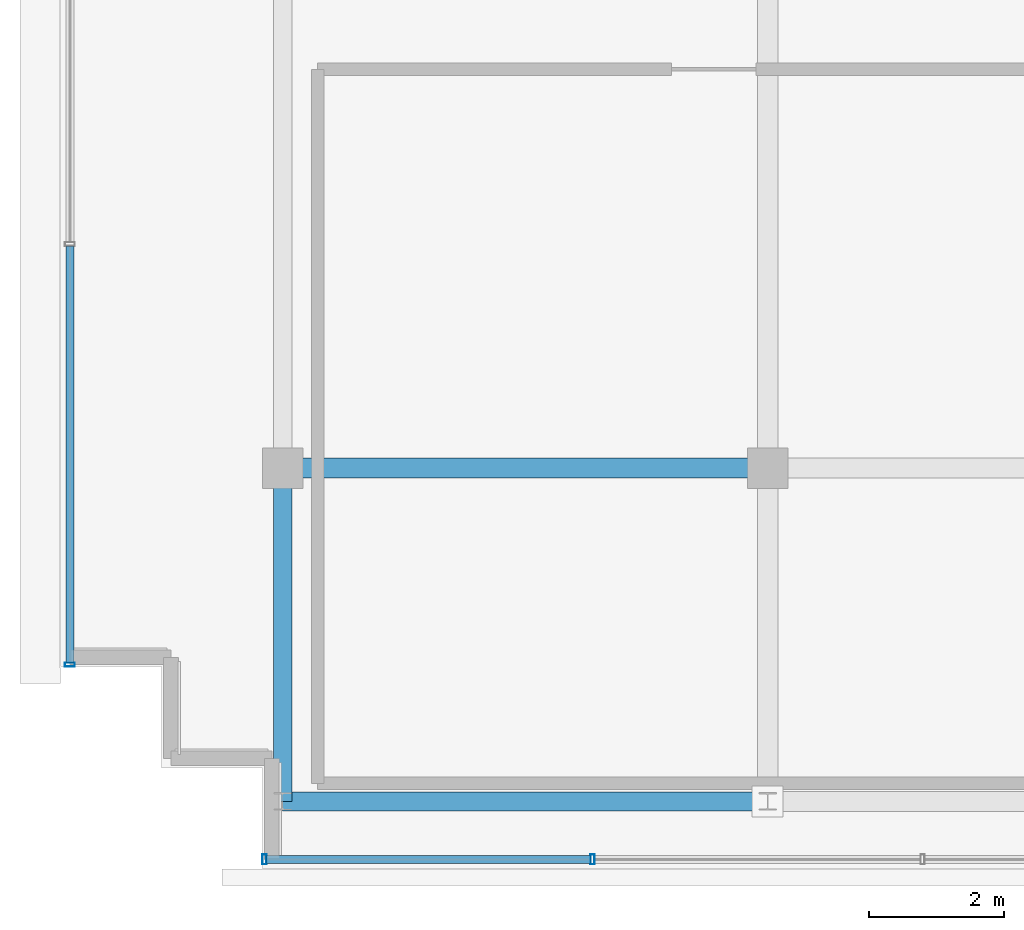
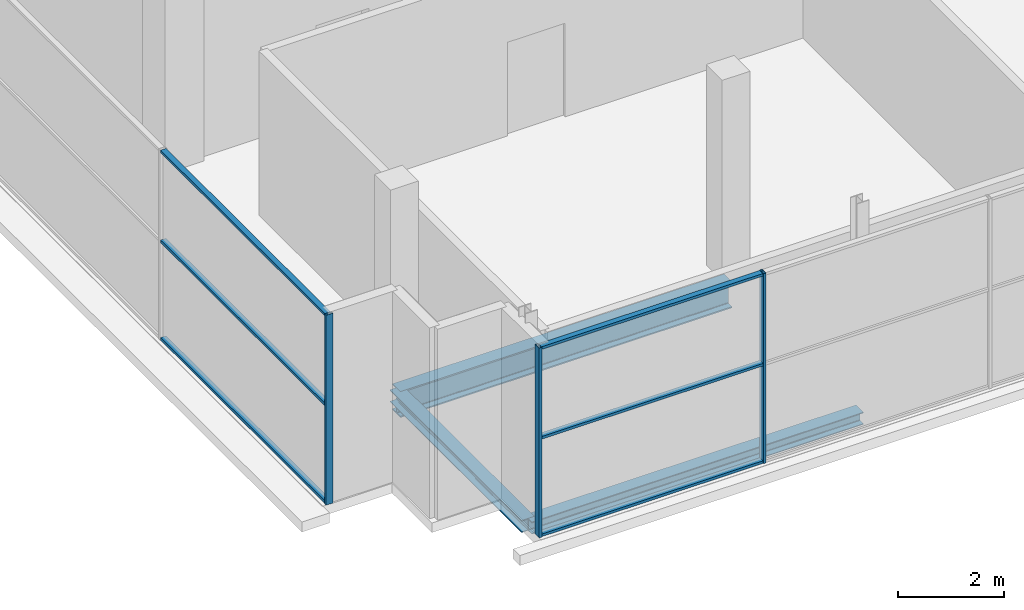
# One storey, part 3 of 27: 9 members, 3 beams, 2 elements without a shape of their own.
"""IFC4 building model written with IfcOpenShell, lengths in metres."""

import ifcopenshell
import ifcopenshell.guid

model = None  # the IFC model being written
_history = None  # IfcOwnerHistory: only IFC2X3 demands one
_inside = {}  # id of a spatial element -> (the spatial element, [elements in it])
_under = {}  # id of a project, library or spatial element -> (it, [spatial elements below it])
_declared = {}  # id of a project -> (the project, [libraries it declares])
_typed = {}  # id of a type object -> (the type object, [elements of that type])
_made_of = {}  # id of a material, layer set ... -> (it, [elements and type objects made of it])


def new_model(schema):
    """Start an empty IFC model of exactly this schema.

    Asked for "IFC4X3", IfcOpenShell would pick the latest addendum, in which some entities
    have other attributes; the version numbers below select the first issue.
    IFC2X3 requires an IfcOwnerHistory on every rooted entity: one is made here for all.
    """
    global model, _history
    if schema == "IFC4X3":
        model = ifcopenshell.file(schema_version=(4, 3, 0, 0))
    else:
        model = ifcopenshell.file(schema=schema)
    _inside.clear()
    _under.clear()
    _declared.clear()
    _typed.clear()
    _made_of.clear()
    _history = None
    if model.schema == "IFC2X3":
        org = make("IfcOrganization", Name="unknown")
        user = make(
            "IfcPersonAndOrganization",
            ThePerson=make("IfcPerson", FamilyName="unknown"),
            TheOrganization=org,
        )
        app = make(
            "IfcApplication",
            ApplicationDeveloper=org,
            Version="unknown",
            ApplicationFullName="unknown",
            ApplicationIdentifier="unknown",
        )
        _history = make(
            "IfcOwnerHistory",
            OwningUser=user,
            OwningApplication=app,
            ChangeAction="ADDED",
            CreationDate=0,
        )
    return model


def make(cls, **values):
    """One entity of the class cls with the attributes given. An attribute that is None is left unset."""
    return model.create_entity(
        cls, **{name: value for name, value in values.items() if value is not None}
    )


def rooted(cls, **values):
    """An entity with a GlobalId (a new one), such as an element, a storey or a relation."""
    return make(cls, GlobalId=ifcopenshell.guid.new(), OwnerHistory=_history, **values)


def si_unit(unit_type, name, prefix=None):
    """IfcSIUnit, for example si_unit("LENGTHUNIT", "METRE", prefix="MILLI")."""
    return make("IfcSIUnit", UnitType=unit_type, Prefix=prefix, Name=name)


def assignment(units):
    """IfcUnitAssignment: the units of a project."""
    return None if units is None else make("IfcUnitAssignment", Units=units)


def point(xyz):
    """IfcCartesianPoint."""
    return None if xyz is None else make("IfcCartesianPoint", Coordinates=xyz)


def direction(xyz):
    """IfcDirection."""
    return None if xyz is None else make("IfcDirection", DirectionRatios=xyz)


def frame(location, z_axis=None, x_axis=None):
    """IfcAxis2Placement3D, a coordinate frame: its origin and axes. An axis left out is left unset."""
    return make(
        "IfcAxis2Placement3D",
        Location=point(location),
        Axis=direction(z_axis),
        RefDirection=direction(x_axis),
    )


def frame_2d(location, x_axis=None):
    """IfcAxis2Placement2D, a coordinate frame in the plane: its origin and x axis."""
    return make(
        "IfcAxis2Placement2D", Location=point(location), RefDirection=direction(x_axis)
    )


def origin():
    """The frame at (0, 0, 0) with its axes left unset."""
    return frame((0.0, 0.0, 0.0))


def origin_2d():
    """The frame at (0, 0) in the plane with its x axis left unset."""
    return frame_2d((0.0, 0.0))


def place(relative_to, where):
    """IfcLocalPlacement: puts the frame where relative to a parent placement (None: the world)."""
    return make(
        "IfcLocalPlacement", PlacementRelTo=relative_to, RelativePlacement=where
    )


def context(
    kind, dimensions, precision=None, world=None, true_north=None, identifier=None
):
    """IfcGeometricRepresentationContext, for example the 3D "Model" context."""
    return make(
        "IfcGeometricRepresentationContext",
        ContextIdentifier=identifier,
        ContextType=kind,
        CoordinateSpaceDimension=dimensions,
        Precision=precision,
        WorldCoordinateSystem=world,
        TrueNorth=true_north,
    )


def subcontext(parent, identifier, kind, view, scale=None):
    """IfcGeometricRepresentationSubContext, for example "Body" below "Model"."""
    return make(
        "IfcGeometricRepresentationSubContext",
        ContextIdentifier=identifier,
        ContextType=kind,
        ParentContext=parent,
        TargetScale=scale,
        TargetView=view,
    )


def project(units=None, contexts=None):
    """IfcProject with its units and contexts."""
    return rooted(
        "IfcProject",
        Name="project",
        RepresentationContexts=contexts,
        UnitsInContext=assignment(units),
    )


def spatial(cls, under=None, at=None, **own):
    """A site, building, storey or space (cls), placed at a placement, below another one or the project."""
    s = rooted(cls, ObjectPlacement=at, **own)
    if under is not None:
        _under.setdefault(under.id(), (under, []))[1].append(s)
    return s


def profile(cls, at=None, kind="AREA", **sizes):
    """A parametric profile (cls). Its sizes go by their IFC names, for example OverallWidth=200.0."""
    return make(cls, ProfileType=kind, Position=at, **sizes)


def hollow_rectangle(**sizes):
    """IfcRectangleHollowProfileDef."""
    return profile("IfcRectangleHollowProfileDef", **sizes)


def i_section(**sizes):
    """IfcIShapeProfileDef."""
    return profile("IfcIShapeProfileDef", **sizes)


def extrude(swept, where, along, depth):
    """IfcExtrudedAreaSolid: the profile swept, set in the frame where, extruded along a direction by depth."""
    return make(
        "IfcExtrudedAreaSolid",
        SweptArea=swept,
        Position=where,
        ExtrudedDirection=direction(along),
        Depth=depth,
    )


def shape(context_of_items, identifier, shape_type, items):
    """IfcShapeRepresentation: the items that make up one representation, for example the "Body"."""
    return make(
        "IfcShapeRepresentation",
        ContextOfItems=context_of_items,
        RepresentationIdentifier=identifier,
        RepresentationType=shape_type,
        Items=items,
    )


def source(mapping_origin, context_of_items, identifier, shape_type, items):
    """IfcRepresentationMap: a shape defined once, which mapped items show again and again."""
    return make(
        "IfcRepresentationMap",
        MappingOrigin=mapping_origin,
        MappedRepresentation=shape(context_of_items, identifier, shape_type, items),
    )


def transform(
    local_origin,
    x_axis=None,
    y_axis=None,
    z_axis=None,
    scale=None,
    scale2=None,
    scale3=None,
    uniform=True,
):
    """IfcCartesianTransformationOperator3D, or its non-uniform kind. x_axis, y_axis, z_axis: its Axis1, 2, 3."""
    if uniform:
        return make(
            "IfcCartesianTransformationOperator3D",
            Axis1=direction(x_axis),
            Axis2=direction(y_axis),
            LocalOrigin=point(local_origin),
            Scale=scale,
            Axis3=direction(z_axis),
        )
    return make(
        "IfcCartesianTransformationOperator3DnonUniform",
        Axis1=direction(x_axis),
        Axis2=direction(y_axis),
        LocalOrigin=point(local_origin),
        Scale=scale,
        Axis3=direction(z_axis),
        Scale2=scale2,
        Scale3=scale3,
    )


def mapped(mapping_source, mapping_target):
    """IfcMappedItem: shows the shape of a source again, moved by a transform."""
    return make(
        "IfcMappedItem", MappingSource=mapping_source, MappingTarget=mapping_target
    )


def material(Name=None, Category=None):
    """IfcMaterial."""
    return make("IfcMaterial", Name=Name, Category=Category)


def layer(
    of_material, thickness, ventilated=None, Name=None, Category=None, Priority=None
):
    """IfcMaterialLayer: one layer of a wall or slab, of a material (None: an air gap)."""
    return make(
        "IfcMaterialLayer",
        Material=of_material,
        LayerThickness=thickness,
        IsVentilated=ventilated,
        Name=Name,
        Category=Category,
        Priority=Priority,
    )


def layer_set(layers, Name=None):
    """IfcMaterialLayerSet."""
    return make("IfcMaterialLayerSet", MaterialLayers=layers, LayerSetName=Name)


def material_profile(
    of_material, cross_section, Name=None, Category=None, Priority=None
):
    """IfcMaterialProfile: a cross section and its material."""
    return make(
        "IfcMaterialProfile",
        Name=Name,
        Material=of_material,
        Profile=cross_section,
        Priority=Priority,
        Category=Category,
    )


def profile_set(profiles, Name=None, composite=None):
    """IfcMaterialProfileSet."""
    return make(
        "IfcMaterialProfileSet",
        Name=Name,
        MaterialProfiles=profiles,
        CompositeProfile=composite,
    )


def made_of(thing, what):
    """Note that an element or type object is made of a material, layer set ...; save() writes the relation."""
    if what is not None:
        _made_of.setdefault(what.id(), (what, []))[1].append(thing)
    return thing


def type_object(cls, material=None, **own):
    """A type object (cls), such as IfcWallType, which elements share."""
    return made_of(rooted(cls, **own), material)


def element(
    cls,
    number,
    at=None,
    inside=None,
    cuts=None,
    type_object=None,
    material=None,
    context=None,
    identifier="Body",
    shape_type=None,
    held_by="IfcProductDefinitionShape",
    body=None,
    shapes=None,
    **own,
):
    """One element of the class cls, such as IfcWall. Its Tag is "e" and its number.

    at: its placement. inside: the storey or other place that contains it. cuts: it is an
    opening in that element (IfcRelVoidsElement). A single representation is given by context,
    identifier, shape_type and body (its items); several are given by shapes. held_by: the class
    of the entity that holds the representations. save() writes the other relations.
    """
    e = rooted(cls, Tag="e%d" % number, ObjectPlacement=at, **own)
    if body is not None:
        shapes = [shape(context, identifier, shape_type, body)]
    if shapes is not None:
        e.Representation = make(held_by, Representations=shapes)
    if inside is not None:
        _inside.setdefault(inside.id(), (inside, []))[1].append(e)
    if cuts is not None:
        rooted(
            "IfcRelVoidsElement", RelatingBuildingElement=cuts, RelatedOpeningElement=e
        )
    if type_object is not None:
        _typed.setdefault(type_object.id(), (type_object, []))[1].append(e)
    return made_of(e, material)


def aggregate(whole, parts):
    """IfcRelAggregates: a whole, such as a stair, and the parts it consists of."""
    return rooted("IfcRelAggregates", RelatingObject=whole, RelatedObjects=parts)


def save(model, path):
    """Write the relations noted so far, then the file.

    IfcRelAggregates (storeys below a building ...), IfcRelContainedInSpatialStructure (elements
    in a storey), IfcRelDefinesByType, IfcRelAssociatesMaterial and IfcRelDeclares: one each for
    every whole, place, type object, material and project.
    """
    for whole, parts in _under.values():
        aggregate(whole, parts)
    for where, things in _inside.values():
        rooted(
            "IfcRelContainedInSpatialStructure",
            RelatedElements=things,
            RelatingStructure=where,
        )
    for kind, things in _typed.values():
        rooted("IfcRelDefinesByType", RelatedObjects=things, RelatingType=kind)
    for what, things in _made_of.values():
        rooted("IfcRelAssociatesMaterial", RelatedObjects=things, RelatingMaterial=what)
    for by, libraries in _declared.values():
        rooted("IfcRelDeclares", RelatingContext=by, RelatedDefinitions=libraries)
    model.write(path)


model = new_model("IFC4")

# Units and contexts
model_context = context("Model", 3, precision=1e-05, world=origin(), true_north=direction((0.0, 1.0)))
body_context = subcontext(model_context, "Body", "Model", "MODEL_VIEW")
ifc_project = project(units=[si_unit("LENGTHUNIT", "METRE"), si_unit("AREAUNIT", "SQUARE_METRE"), si_unit("VOLUMEUNIT", "CUBIC_METRE"), si_unit("PLANEANGLEUNIT", "RADIAN"), si_unit("MASSUNIT", "GRAM", prefix="KILO")], contexts=[model_context])

# Site, building, storey
site_placement = place(None, origin())
site = spatial("IfcSite", under=ifc_project, at=site_placement, CompositionType="ELEMENT")
building_placement = place(site_placement, origin())
building = spatial("IfcBuilding", under=site, at=building_placement, Name="Zarnakvel Exchange Tower", CompositionType="ELEMENT")
storey_placement = place(building_placement, frame((0.0, 0.0, 294.60009765625)))
storey = spatial("IfcBuildingStorey", under=building, at=storey_placement, Name="Crown L82", CompositionType="ELEMENT", Elevation=294.60009765625)

# Beams
ifc_material_1 = material(Name="Steel S355", Category="steel")
ifc_material_profile_1 = material_profile(ifc_material_1, i_section(OverallWidth=0.300048828125, OverallDepth=0.60009765625, WebThickness=0.015380859375, FlangeThickness=0.030029296875, FilletRadius=0.027099609375, at=origin_2d()))
ifc_profile_set_1 = profile_set([ifc_material_profile_1], Name="Steel S355")
beam_type_1 = type_object("IfcBeamType", Name="G-04", PredefinedType="BEAM", material=ifc_profile_set_1)
beam_1_placement = place(storey_placement, frame((-14.39990234375, -9.60009765625, -0.52001953125), z_axis=(1.0, 0.0, 0.0), x_axis=(0.0, 1.0, 0.0)))
element("IfcBeam", 1, at=beam_1_placement, inside=storey, type_object=beam_type_1, Name="Crown L82 Tower E-W Frame Beam", PredefinedType="BEAM", context=body_context, shape_type="SweptSolid", body=[
    extrude(i_section(OverallWidth=0.300048828125, OverallDepth=0.60009765625, WebThickness=0.015380859375, FlangeThickness=0.030029296875, FilletRadius=0.027099609375, at=origin_2d()), origin(), (0.0, 0.0, 1.0), 7.199951171875),
])
ifc_material_profile_2 = material_profile(ifc_material_1, i_section(OverallWidth=0.280029296875, OverallDepth=0.280029296875, WebThickness=0.010498046875, FlangeThickness=0.01806640625, FilletRadius=0.02392578125, at=origin_2d()))
ifc_profile_set_2 = profile_set([ifc_material_profile_2], Name="Steel S355")
beam_type_2 = type_object("IfcBeamType", Name="SP-04", PredefinedType="SPANDREL", material=ifc_profile_set_2)
beam_2_placement = place(storey_placement, frame((-14.39990234375, -14.550048828125, -0.360107421875), z_axis=(1.0, 0.0, 0.0), x_axis=(0.0, 1.0, 0.0)))
element("IfcBeam", 2, at=beam_2_placement, inside=storey, type_object=beam_type_2, Name="Crown L82 Tower E-W Frame Beam", PredefinedType="SPANDREL", context=body_context, shape_type="SweptSolid", body=[
    extrude(i_section(OverallWidth=0.280029296875, OverallDepth=0.280029296875, WebThickness=0.010498046875, FlangeThickness=0.01806640625, FilletRadius=0.02392578125, at=origin_2d()), origin(), (0.0, 0.0, 1.0), 7.199951171875),
])
beam_3_placement = place(storey_placement, frame((-14.39990234375, -14.550048828125, -0.360107421875), z_axis=(0.0, 1.0, 0.0), x_axis=(-1.0, 0.0, 0.0)))
element("IfcBeam", 3, at=beam_3_placement, inside=storey, type_object=beam_type_2, Name="Crown L82 Tower N-S Frame Beam", PredefinedType="SPANDREL", context=body_context, shape_type="SweptSolid", body=[
    extrude(i_section(OverallWidth=0.280029296875, OverallDepth=0.280029296875, WebThickness=0.010498046875, FlangeThickness=0.01806640625, FilletRadius=0.02392578125, at=origin_2d()), origin(), (0.0, 0.0, 1.0), 4.949951171875),
])

# Curtain wall, members
ifc_material_2 = material(Name="Architectural Bronze Anodised Aluminium", Category="aluminium")
ifc_layer = layer(ifc_material_2, 0.14990234375)
ifc_layer_set = layer_set([ifc_layer], Name="Architectural Bronze Anodised Aluminium")
curtain_wall_type = type_object("IfcCurtainWallType", Name="CW-07", PredefinedType="NOTDEFINED", material=ifc_layer_set)
curtain_wall_1_placement = place(storey_placement, origin())
curtain_wall_1 = element("IfcCurtainWall", 4, at=curtain_wall_1_placement, inside=storey, type_object=curtain_wall_type, Name="Crown L82 Curtain Wall CW-Crown L82-S (CW-07)", PredefinedType="NOTDEFINED")
ifc_material_profile_3 = material_profile(ifc_material_2, hollow_rectangle(XDim=0.14990234375, YDim=0.06005859375, WallThickness=0.00390625, at=origin_2d()))
ifc_profile_set_3 = profile_set([ifc_material_profile_3], Name="Architectural Bronze Anodised Aluminium")
member_type_1 = type_object("IfcMemberType", Name="CWM-07", PredefinedType="MULLION", material=ifc_profile_set_3)
shared_shape_1 = source(origin(), body_context, "Body", "SweptSolid", [
    extrude(hollow_rectangle(XDim=0.14990234375, YDim=0.06005859375, WallThickness=0.00390625, at=origin_2d()), origin(), (0.0, 0.0, 1.0), 4.35986328125),
])
member_1_placement = place(storey_placement, frame((-14.669921875, -15.409912109375, 0.0), z_axis=(0.0, 0.0, 1.0), x_axis=(0.0, 1.0, 0.0)))
member_1 = element("IfcMember", 5, at=member_1_placement, type_object=member_type_1, Name="CW-07 mullion 1", PredefinedType="MULLION", context=body_context, shape_type="MappedRepresentation", body=[
    mapped(shared_shape_1, transform((0.0, 0.0, 0.0), x_axis=(1.0, 0.0, 0.0), y_axis=(0.0, 1.0, 0.0), z_axis=(0.0, 0.0, 1.0), scale=1.0)),
])
member_2_placement = place(storey_placement, frame((-9.800048828125, -15.409912109375, 0.0), z_axis=(0.0, 0.0, 1.0), x_axis=(0.0, 1.0, 0.0)))
member_2 = element("IfcMember", 6, at=member_2_placement, type_object=member_type_1, Name="CW-07 mullion 2", PredefinedType="MULLION", context=body_context, shape_type="MappedRepresentation", body=[
    mapped(shared_shape_1, transform((0.0, 0.0, 0.0), x_axis=(1.0, 0.0, 0.0), y_axis=(0.0, 1.0, 0.0), z_axis=(0.0, 0.0, 1.0), scale=1.0)),
])

# Curtain wall, member
curtain_wall_2_placement = place(storey_placement, origin())
curtain_wall_2 = element("IfcCurtainWall", 7, at=curtain_wall_2_placement, inside=storey, type_object=curtain_wall_type, Name="Crown L82 Curtain Wall CW-Crown L82-W (CW-07)", PredefinedType="NOTDEFINED")
member_3_placement = place(storey_placement, frame((-17.56005859375, -12.52001953125, 0.0), z_axis=(0.0, 0.0, 1.0), x_axis=(-1.0, 0.0, 0.0)))
member_3 = element("IfcMember", 8, at=member_3_placement, type_object=member_type_1, Name="CW-07 mullion 1", PredefinedType="MULLION", context=body_context, shape_type="MappedRepresentation", body=[
    mapped(shared_shape_1, transform((0.0, 0.0, 0.0), x_axis=(1.0, 0.0, 0.0), y_axis=(0.0, 1.0, 0.0), z_axis=(0.0, 0.0, 1.0), scale=1.0)),
])

# Member
ifc_material_profile_4 = material_profile(ifc_material_2, hollow_rectangle(XDim=0.1201171875, YDim=0.06005859375, WallThickness=0.00390625, at=origin_2d()))
ifc_profile_set_4 = profile_set([ifc_material_profile_4], Name="Architectural Bronze Anodised Aluminium")
member_type_2 = type_object("IfcMemberType", Name="CWT-07", PredefinedType="USERDEFINED", material=ifc_profile_set_4)
shared_shape_2 = source(origin(), body_context, "Body", "SweptSolid", [
    extrude(hollow_rectangle(XDim=0.1201171875, YDim=0.06005859375, WallThickness=0.00390625, at=origin_2d()), origin(), (0.0, 0.0, 1.0), 4.809814453125),
])
member_4_placement = place(storey_placement, frame((-14.639892578125, -15.409912109375, 0.02978515625), z_axis=(1.0, 0.0, 0.0), x_axis=(0.0, 1.0, 0.0)))
member_4 = element("IfcMember", 9, at=member_4_placement, type_object=member_type_2, Name="CW-07 transom 1.1", ObjectType="TRANSOM", PredefinedType="USERDEFINED", context=body_context, shape_type="MappedRepresentation", body=[
    mapped(shared_shape_2, transform((0.0, 0.0, 0.0), x_axis=(1.0, 0.0, 0.0), y_axis=(0.0, 1.0, 0.0), z_axis=(0.0, 0.0, 1.0), scale=1.0)),
])

member_5_placement = place(storey_placement, frame((-14.639892578125, -15.409912109375, 2.26708984375), z_axis=(1.0, 0.0, 0.0), x_axis=(0.0, 1.0, 0.0)))
member_5 = element("IfcMember", 10, at=member_5_placement, type_object=member_type_2, Name="CW-07 transom 1.2", ObjectType="TRANSOM", PredefinedType="USERDEFINED", context=body_context, shape_type="MappedRepresentation", body=[
    mapped(shared_shape_2, transform((0.0, 0.0, 0.0), x_axis=(1.0, 0.0, 0.0), y_axis=(0.0, 1.0, 0.0), z_axis=(0.0, 0.0, 1.0), scale=1.0)),
])

member_6_placement = place(storey_placement, frame((-14.639892578125, -15.409912109375, 4.329833984375), z_axis=(1.0, 0.0, 0.0), x_axis=(0.0, 1.0, 0.0)))
member_6 = element("IfcMember", 11, at=member_6_placement, type_object=member_type_2, Name="CW-07 transom 1.3", ObjectType="TRANSOM", PredefinedType="USERDEFINED", context=body_context, shape_type="MappedRepresentation", body=[
    mapped(shared_shape_2, transform((0.0, 0.0, 0.0), x_axis=(1.0, 0.0, 0.0), y_axis=(0.0, 1.0, 0.0), z_axis=(0.0, 0.0, 1.0), scale=1.0)),
])

aggregate(curtain_wall_1, [member_1, member_2, member_4, member_5, member_6])

shared_shape_3 = source(origin(), body_context, "Body", "SweptSolid", [
    extrude(hollow_rectangle(XDim=0.1201171875, YDim=0.06005859375, WallThickness=0.00390625, at=origin_2d()), origin(), (0.0, 0.0, 1.0), 6.18505859375),
])
member_7_placement = place(storey_placement, frame((-17.56005859375, -12.489990234375, 0.02978515625), z_axis=(0.0, 1.0, 0.0), x_axis=(-1.0, 0.0, 0.0)))
member_7 = element("IfcMember", 12, at=member_7_placement, type_object=member_type_2, Name="CW-07 transom 1.1", ObjectType="TRANSOM", PredefinedType="USERDEFINED", context=body_context, shape_type="MappedRepresentation", body=[
    mapped(shared_shape_3, transform((0.0, 0.0, 0.0), x_axis=(1.0, 0.0, 0.0), y_axis=(0.0, 1.0, 0.0), z_axis=(0.0, 0.0, 1.0), scale=1.0)),
])

member_8_placement = place(storey_placement, frame((-17.56005859375, -12.489990234375, 2.26708984375), z_axis=(0.0, 1.0, 0.0), x_axis=(-1.0, 0.0, 0.0)))
member_8 = element("IfcMember", 13, at=member_8_placement, type_object=member_type_2, Name="CW-07 transom 1.2", ObjectType="TRANSOM", PredefinedType="USERDEFINED", context=body_context, shape_type="MappedRepresentation", body=[
    mapped(shared_shape_3, transform((0.0, 0.0, 0.0), x_axis=(1.0, 0.0, 0.0), y_axis=(0.0, 1.0, 0.0), z_axis=(0.0, 0.0, 1.0), scale=1.0)),
])

member_9_placement = place(storey_placement, frame((-17.56005859375, -12.489990234375, 4.329833984375), z_axis=(0.0, 1.0, 0.0), x_axis=(-1.0, 0.0, 0.0)))
member_9 = element("IfcMember", 14, at=member_9_placement, type_object=member_type_2, Name="CW-07 transom 1.3", ObjectType="TRANSOM", PredefinedType="USERDEFINED", context=body_context, shape_type="MappedRepresentation", body=[
    mapped(shared_shape_3, transform((0.0, 0.0, 0.0), x_axis=(1.0, 0.0, 0.0), y_axis=(0.0, 1.0, 0.0), z_axis=(0.0, 0.0, 1.0), scale=1.0)),
])

aggregate(curtain_wall_2, [member_3, member_7, member_8, member_9])

save(model, "model.ifc")
